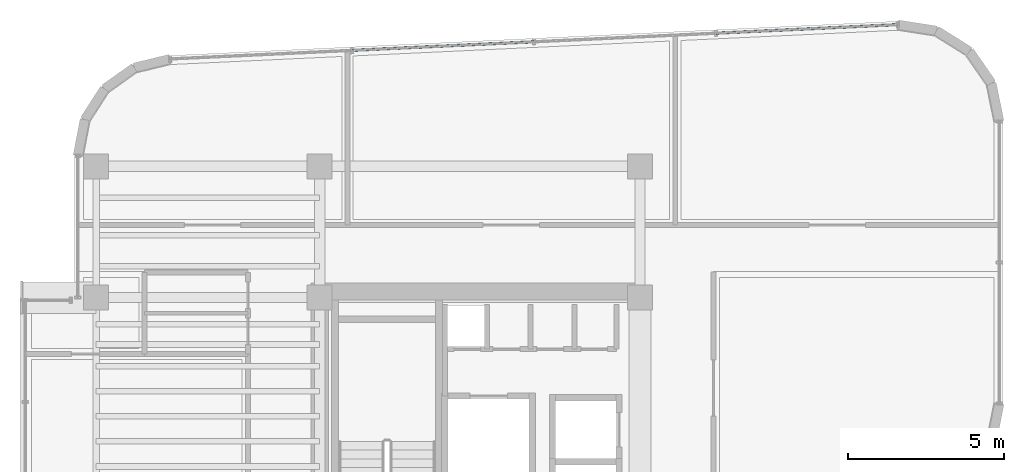
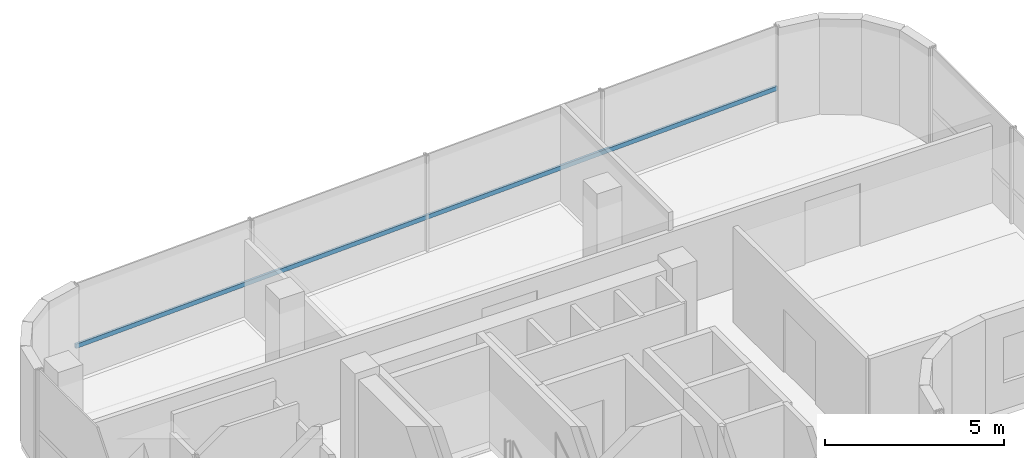
# One storey, part 11 of 18: 1 member, 1 element without a shape of its own.
"""IFC4 building model written with IfcOpenShell, lengths in metres."""

from ifc_helpers import new_model, si_unit, direction, frame, origin, origin_2d, place, context, subcontext, project, spatial, hollow_rectangle, extrude, source, transform, mapped, material, material_profile, profile_set, type_object, element, aggregate, save


model = new_model("IFC4")

# Units and contexts
model_context = context("Model", 3, precision=1e-05, world=origin(), true_north=direction((0.0, 1.0)))
body_context = subcontext(model_context, "Body", "Model", "MODEL_VIEW")
ifc_project = project(units=[si_unit("LENGTHUNIT", "METRE"), si_unit("AREAUNIT", "SQUARE_METRE"), si_unit("VOLUMEUNIT", "CUBIC_METRE"), si_unit("PLANEANGLEUNIT", "RADIAN"), si_unit("MASSUNIT", "GRAM", prefix="KILO")], contexts=[model_context])

# Site, building, storey
site_placement = place(None, origin())
site = spatial("IfcSite", under=ifc_project, at=site_placement, CompositionType="ELEMENT")
building_placement = place(site_placement, origin())
building = spatial("IfcBuilding", under=site, at=building_placement, Name="Valdorenza Pilgrim Sanctuary Tower", CompositionType="ELEMENT")
storey_placement = place(building_placement, frame((0.0, 0.0, 273.0)))
storey = spatial("IfcBuildingStorey", under=building, at=storey_placement, Name="L71", CompositionType="ELEMENT", Elevation=273.0)

# Curtain wall, member
ifc_material_1 = material(Name="Curtain-wall IGU glazing", Category="glass")
curtain_wall_type = type_object("IfcCurtainWallType", Name="CW-SYS-02", PredefinedType="NOTDEFINED", material=ifc_material_1)
curtain_wall_placement = place(storey_placement, origin())
curtain_wall = element("IfcCurtainWall", 1, at=curtain_wall_placement, inside=storey, type_object=curtain_wall_type, Name="L71 Curtain Wall CW-L71-1-6", PredefinedType="NOTDEFINED")
ifc_material_2 = material(Name="Anodised aluminium AW-6060", Category="aluminium")
ifc_material_profile = material_profile(ifc_material_2, hollow_rectangle(XDim=0.074951171875, YDim=0.14990234375, WallThickness=0.00390625, at=origin_2d()), Name="ALU-T 150x75x4")
ifc_profile_set = profile_set([ifc_material_profile], Name="Anodised aluminium AW-6060")
member_type = type_object("IfcMemberType", Name="CW-TRN-02", PredefinedType="USERDEFINED", material=ifc_profile_set)
shared_shape = source(origin(), body_context, "Body", "SweptSolid", [
    extrude(hollow_rectangle(XDim=0.074951171875, YDim=0.14990234375, WallThickness=0.00390625, at=origin_2d()), origin(), (0.0, 0.0, 1.0), 23.30419921875),
])
member_placement = place(storey_placement, frame((-27.43505859375, 18.234375, 1.1201171875), z_axis=(0.998890613053, 0.04709079693, 0.0), x_axis=(-0.04709079693, 0.998890613053, 0.0)))
member = element("IfcMember", 2, at=member_placement, type_object=member_type, Name="CW-L71-1-6 Transom 1", ObjectType="TRANSOM", PredefinedType="USERDEFINED", context=body_context, shape_type="MappedRepresentation", body=[
    mapped(shared_shape, transform((0.0, 0.0, 0.0), x_axis=(1.0, 0.0, 0.0), y_axis=(0.0, 1.0, 0.0), z_axis=(0.0, 0.0, 1.0), scale=1.0)),
])
aggregate(curtain_wall, [member])

save(model, "model.ifc")
